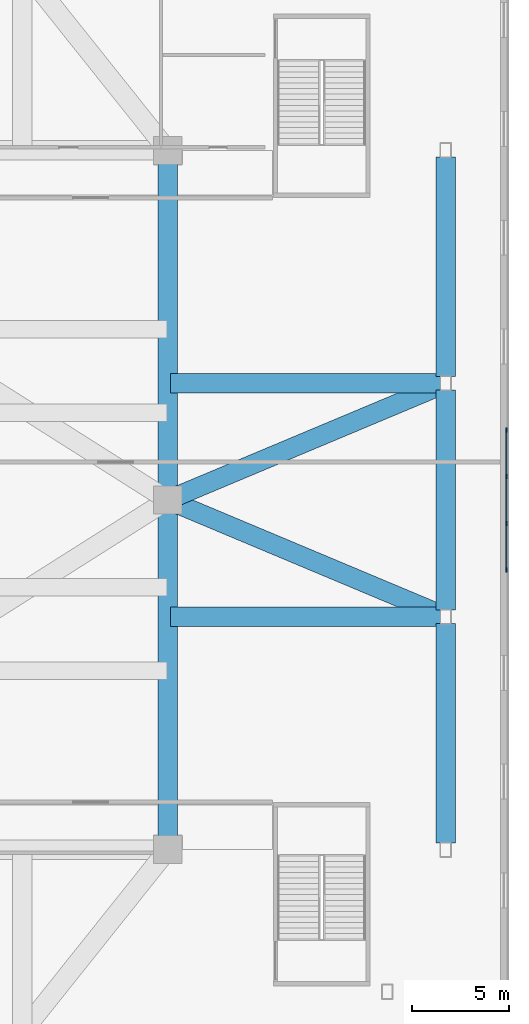
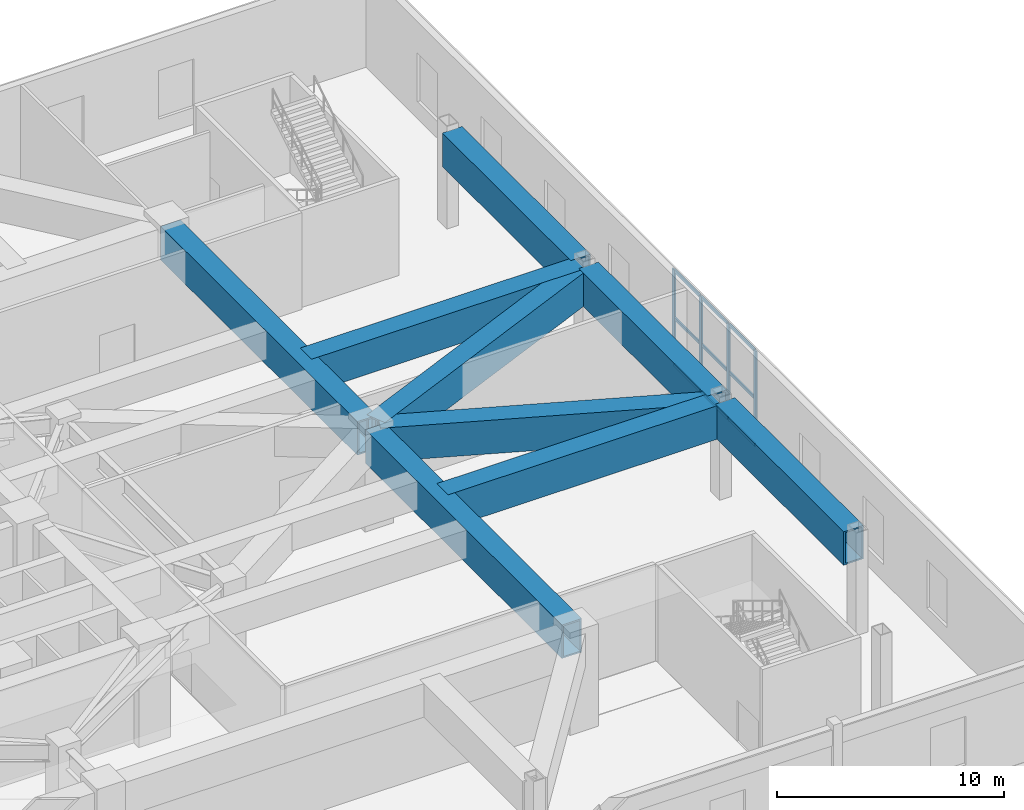
# One storey, part 8 of 23: 13 members, 9 beams, 1 element without a shape of its own.
"""IFC4 building model written with IfcOpenShell, lengths in metres."""

from ifc_helpers import new_model, si_unit, direction, frame, origin, origin_2d, place, context, subcontext, project, spatial, rectangle, hollow_rectangle, extrude, material, layer, layer_set, material_profile, profile_set, type_object, element, aggregate, save


model = new_model("IFC4")

# Units and contexts
model_context = context("Model", 3, precision=1e-05, world=origin(), true_north=direction((0.0, 1.0)))
body_context = subcontext(model_context, "Body", "Model", "MODEL_VIEW")
ifc_project = project(units=[si_unit("LENGTHUNIT", "METRE"), si_unit("AREAUNIT", "SQUARE_METRE"), si_unit("VOLUMEUNIT", "CUBIC_METRE"), si_unit("PLANEANGLEUNIT", "RADIAN"), si_unit("MASSUNIT", "GRAM", prefix="KILO")], contexts=[model_context])

# Site, building, storey
site_placement = place(None, origin())
site = spatial("IfcSite", under=ifc_project, at=site_placement, CompositionType="ELEMENT")
building_placement = place(site_placement, origin())
building = spatial("IfcBuilding", under=site, at=building_placement, Name="Apsidion Concourse Tower", CompositionType="ELEMENT")
storey_placement = place(building_placement, frame((0.0, 0.0, 6.0)))
storey = spatial("IfcBuildingStorey", under=building, at=storey_placement, Name="L01", CompositionType="ELEMENT", Elevation=6.0)

# Beams
ifc_material_1 = material(Name="Structural steel ASTM A572 Grade 50", Category="steel")
ifc_material_profile_1 = material_profile(ifc_material_1, hollow_rectangle(XDim=1.0, YDim=1.800048828125, WallThickness=0.080078125, at=origin_2d()), Name="BOX1800X1000X80")
ifc_profile_set_1 = profile_set([ifc_material_profile_1], Name="Structural steel ASTM A572 Grade 50")
beam_type = type_object("IfcBeamType", Name="BM-TR-1800", PredefinedType="USERDEFINED", material=ifc_profile_set_1)
for number, where, z_axis, x_axis, name in (
    (1, (24.0, -17.64990234375, 4.300048828125), (0.0, 1.0, 0.0), (-1.0, 0.0, 0.0), "L01 Podium Transfer Collector Girder MC2-MC4"),
    (2, (24.0, 0.35009765625, 4.300048828125), (0.0, 1.0, 0.0), (-1.0, 0.0, 0.0), "L01 Podium Transfer Collector Girder MC4-MC6"),
):
    element("IfcBeam", number, at=place(storey_placement, frame(where, z_axis=z_axis, x_axis=x_axis)), inside=storey, type_object=beam_type, Name=name, ObjectType="GIRDER", PredefinedType="USERDEFINED", context=body_context, shape_type="SweptSolid", body=[
        extrude(hollow_rectangle(XDim=1.0, YDim=1.800048828125, WallThickness=0.080078125, at=origin_2d()), origin(), (0.0, 0.0, 1.0), 17.2998046875),
    ])
beam_1_placement = place(storey_placement, frame((38.050048828125, -6.0, 4.300048828125), z_axis=(-1.0, 0.0, 0.0), x_axis=(0.0, -1.0, 0.0)))
element("IfcBeam", 3, at=beam_1_placement, inside=storey, type_object=beam_type, Name="L01 Podium Radial Frame Girder PC06", ObjectType="GIRDER", PredefinedType="USERDEFINED", context=body_context, shape_type="SweptSolid", body=[
    extrude(hollow_rectangle(XDim=1.0, YDim=1.800048828125, WallThickness=0.080078125, at=origin_2d()), origin(), (0.0, 0.0, 1.0), 13.900146484375),
])
beam_2_placement = place(storey_placement, frame((37.977294921875, -5.864501953125, 4.300048828125), z_axis=(-0.92212437548, 0.386893572118, 0.0), x_axis=(-0.386893572118, -0.92212437548, 0.0)))
element("IfcBeam", 4, at=beam_2_placement, inside=storey, type_object=beam_type, Name="L01 Podium Diagonal Frame Tie PC06", ObjectType="GIRDER", PredefinedType="USERDEFINED", context=body_context, shape_type="SweptSolid", body=[
    extrude(hollow_rectangle(XDim=1.0, YDim=1.800048828125, WallThickness=0.080078125, at=origin_2d()), origin(), (0.0, 0.0, 1.0), 14.8076171875),
])
beam_3_placement = place(storey_placement, frame((38.050048828125, 6.0, 4.300048828125), z_axis=(-1.0, 0.0, 0.0), x_axis=(0.0, -1.0, 0.0)))
element("IfcBeam", 5, at=beam_3_placement, inside=storey, type_object=beam_type, Name="L01 Podium Radial Frame Girder PC07", ObjectType="GIRDER", PredefinedType="USERDEFINED", context=body_context, shape_type="SweptSolid", body=[
    extrude(hollow_rectangle(XDim=1.0, YDim=1.800048828125, WallThickness=0.080078125, at=origin_2d()), origin(), (0.0, 0.0, 1.0), 13.900146484375),
])
beam_4_placement = place(storey_placement, frame((37.977294921875, 5.864501953125, 4.300048828125), z_axis=(-0.92212437548, -0.386893572118, 0.0), x_axis=(0.386893572118, -0.92212437548, 0.0)))
element("IfcBeam", 6, at=beam_4_placement, inside=storey, type_object=beam_type, Name="L01 Podium Diagonal Frame Tie PC07", ObjectType="GIRDER", PredefinedType="USERDEFINED", context=body_context, shape_type="SweptSolid", body=[
    extrude(hollow_rectangle(XDim=1.0, YDim=1.800048828125, WallThickness=0.080078125, at=origin_2d()), origin(), (0.0, 0.0, 1.0), 14.8076171875),
])
for number, where, z_axis, x_axis, name in (
    (7, (38.300048828125, -17.64990234375, 4.300048828125), (0.0, 1.0, 0.0), (-1.0, 0.0, 0.0), "L01 Podium Spandrel Girder PC05-PC06"),
    (8, (38.300048828125, -5.64990234375, 4.300048828125), (0.0, 1.0, 0.0), (-1.0, 0.0, 0.0), "L01 Podium Spandrel Girder PC06-PC07"),
    (9, (38.300048828125, 6.35009765625, 4.300048828125), (0.0, 1.0, 0.0), (-1.0, 0.0, 0.0), "L01 Podium Spandrel Girder PC07-PC08"),
):
    element("IfcBeam", number, at=place(storey_placement, frame(where, z_axis=z_axis, x_axis=x_axis)), inside=storey, type_object=beam_type, Name=name, ObjectType="GIRDER", PredefinedType="USERDEFINED", context=body_context, shape_type="SweptSolid", body=[
        extrude(hollow_rectangle(XDim=1.0, YDim=1.800048828125, WallThickness=0.080078125, at=origin_2d()), origin(), (0.0, 0.0, 1.0), 11.2998046875),
    ])

# Curtain wall, members
ifc_material_2 = material(Name="Insulated laminated low-E glass", Category="glass")
ifc_layer = layer(ifc_material_2, 0.18994140625)
ifc_layer_set = layer_set([ifc_layer], Name="Insulated laminated low-E glass")
curtain_wall_type = type_object("IfcCurtainWallType", Name="CW-SYS-01", PredefinedType="NOTDEFINED", material=ifc_layer_set)
curtain_wall_placement = place(storey_placement, origin())
curtain_wall = element("IfcCurtainWall", 10, at=curtain_wall_placement, inside=storey, type_object=curtain_wall_type, Name="L01 Podium Glazed Curtain Wall E", PredefinedType="NOTDEFINED")
ifc_material_3 = material(Name="Anodised aluminium EN AW-6063 T6", Category="aluminium")
ifc_material_profile_2 = material_profile(ifc_material_3, rectangle(XDim=0.074951171875, YDim=0.219970703125, at=origin_2d()), Name="ALU MULLION 75x220")
ifc_profile_set_2 = profile_set([ifc_material_profile_2], Name="Anodised aluminium EN AW-6063 T6")
member_type_1 = type_object("IfcMemberType", Name="CWM-75X220", PredefinedType="MULLION", material=ifc_profile_set_2)
member_1_placement = place(storey_placement, frame((41.43994140625, 3.598388671875, 0.0), z_axis=(0.0, 0.0, 1.0), x_axis=(1.0, 0.0, 0.0)))
member_1 = element("IfcMember", 11, at=member_1_placement, type_object=member_type_1, Name="CW-01 mullion 1", PredefinedType="MULLION", context=body_context, shape_type="SweptSolid", body=[
    extrude(rectangle(XDim=0.074951171875, YDim=0.219970703125, at=origin_2d()), origin(), (0.0, 0.0, 1.0), 5.14990234375),
])
member_2_placement = place(storey_placement, frame((41.43994140625, 1.2119140625, 0.0), z_axis=(0.0, 0.0, 1.0), x_axis=(1.0, 0.0, 0.0)))
member_2 = element("IfcMember", 12, at=member_2_placement, type_object=member_type_1, Name="CW-01 mullion 2", PredefinedType="MULLION", context=body_context, shape_type="SweptSolid", body=[
    extrude(rectangle(XDim=0.074951171875, YDim=0.219970703125, at=origin_2d()), origin(), (0.0, 0.0, 1.0), 5.14990234375),
])
member_3_placement = place(storey_placement, frame((41.43994140625, -1.2119140625, 0.0), z_axis=(0.0, 0.0, 1.0), x_axis=(1.0, 0.0, 0.0)))
member_3 = element("IfcMember", 13, at=member_3_placement, type_object=member_type_1, Name="CW-01 mullion 3", PredefinedType="MULLION", context=body_context, shape_type="SweptSolid", body=[
    extrude(rectangle(XDim=0.074951171875, YDim=0.219970703125, at=origin_2d()), origin(), (0.0, 0.0, 1.0), 5.14990234375),
])
member_4_placement = place(storey_placement, frame((41.43994140625, -3.598388671875, 0.0), z_axis=(0.0, 0.0, 1.0), x_axis=(1.0, 0.0, 0.0)))
member_4 = element("IfcMember", 14, at=member_4_placement, type_object=member_type_1, Name="CW-01 mullion 4", PredefinedType="MULLION", context=body_context, shape_type="SweptSolid", body=[
    extrude(rectangle(XDim=0.074951171875, YDim=0.219970703125, at=origin_2d()), origin(), (0.0, 0.0, 1.0), 5.14990234375),
])
ifc_material_profile_3 = material_profile(ifc_material_3, rectangle(XDim=0.074951171875, YDim=0.159912109375, at=origin_2d()), Name="ALU TRANSOM 75x160")
ifc_profile_set_3 = profile_set([ifc_material_profile_3], Name="Anodised aluminium EN AW-6063 T6")
member_type_2 = type_object("IfcMemberType", Name="CWT-75X160", PredefinedType="USERDEFINED", material=ifc_profile_set_3)
member_5_placement = place(storey_placement, frame((41.43994140625, 3.56103515625, 0.03759765625), z_axis=(0.0, -1.0, 0.0), x_axis=(1.0, 0.0, 0.0)))
member_5 = element("IfcMember", 15, at=member_5_placement, type_object=member_type_2, Name="CW-01 transom 1.1", ObjectType="TRANSOM", PredefinedType="USERDEFINED", context=body_context, shape_type="SweptSolid", body=[
    extrude(rectangle(XDim=0.074951171875, YDim=0.159912109375, at=origin_2d()), origin(), (0.0, 0.0, 1.0), 2.3115234375),
])
member_6_placement = place(storey_placement, frame((41.43994140625, 3.56103515625, 2.574951171875), z_axis=(0.0, -1.0, 0.0), x_axis=(1.0, 0.0, 0.0)))
member_6 = element("IfcMember", 16, at=member_6_placement, type_object=member_type_2, Name="CW-01 transom 1.2", ObjectType="TRANSOM", PredefinedType="USERDEFINED", context=body_context, shape_type="SweptSolid", body=[
    extrude(rectangle(XDim=0.074951171875, YDim=0.159912109375, at=origin_2d()), origin(), (0.0, 0.0, 1.0), 2.3115234375),
])
member_7_placement = place(storey_placement, frame((41.43994140625, 3.56103515625, 5.112548828125), z_axis=(0.0, -1.0, 0.0), x_axis=(1.0, 0.0, 0.0)))
member_7 = element("IfcMember", 17, at=member_7_placement, type_object=member_type_2, Name="CW-01 transom 1.3", ObjectType="TRANSOM", PredefinedType="USERDEFINED", context=body_context, shape_type="SweptSolid", body=[
    extrude(rectangle(XDim=0.074951171875, YDim=0.159912109375, at=origin_2d()), origin(), (0.0, 0.0, 1.0), 2.3115234375),
])
member_8_placement = place(storey_placement, frame((41.43994140625, 1.174560546875, 0.03759765625), z_axis=(0.0, -1.0, 0.0), x_axis=(1.0, 0.0, 0.0)))
member_8 = element("IfcMember", 18, at=member_8_placement, type_object=member_type_2, Name="CW-01 transom 2.1", ObjectType="TRANSOM", PredefinedType="USERDEFINED", context=body_context, shape_type="SweptSolid", body=[
    extrude(rectangle(XDim=0.074951171875, YDim=0.159912109375, at=origin_2d()), origin(), (0.0, 0.0, 1.0), 2.34912109375),
])
member_9_placement = place(storey_placement, frame((41.43994140625, 1.174560546875, 2.574951171875), z_axis=(0.0, -1.0, 0.0), x_axis=(1.0, 0.0, 0.0)))
member_9 = element("IfcMember", 19, at=member_9_placement, type_object=member_type_2, Name="CW-01 transom 2.2", ObjectType="TRANSOM", PredefinedType="USERDEFINED", context=body_context, shape_type="SweptSolid", body=[
    extrude(rectangle(XDim=0.074951171875, YDim=0.159912109375, at=origin_2d()), origin(), (0.0, 0.0, 1.0), 2.34912109375),
])
member_10_placement = place(storey_placement, frame((41.43994140625, 1.174560546875, 5.112548828125), z_axis=(0.0, -1.0, 0.0), x_axis=(1.0, 0.0, 0.0)))
member_10 = element("IfcMember", 20, at=member_10_placement, type_object=member_type_2, Name="CW-01 transom 2.3", ObjectType="TRANSOM", PredefinedType="USERDEFINED", context=body_context, shape_type="SweptSolid", body=[
    extrude(rectangle(XDim=0.074951171875, YDim=0.159912109375, at=origin_2d()), origin(), (0.0, 0.0, 1.0), 2.34912109375),
])
member_11_placement = place(storey_placement, frame((41.43994140625, -1.24951171875, 0.03759765625), z_axis=(0.0, -1.0, 0.0), x_axis=(1.0, 0.0, 0.0)))
member_11 = element("IfcMember", 21, at=member_11_placement, type_object=member_type_2, Name="CW-01 transom 3.1", ObjectType="TRANSOM", PredefinedType="USERDEFINED", context=body_context, shape_type="SweptSolid", body=[
    extrude(rectangle(XDim=0.074951171875, YDim=0.159912109375, at=origin_2d()), origin(), (0.0, 0.0, 1.0), 2.3115234375),
])
member_12_placement = place(storey_placement, frame((41.43994140625, -1.24951171875, 2.574951171875), z_axis=(0.0, -1.0, 0.0), x_axis=(1.0, 0.0, 0.0)))
member_12 = element("IfcMember", 22, at=member_12_placement, type_object=member_type_2, Name="CW-01 transom 3.2", ObjectType="TRANSOM", PredefinedType="USERDEFINED", context=body_context, shape_type="SweptSolid", body=[
    extrude(rectangle(XDim=0.074951171875, YDim=0.159912109375, at=origin_2d()), origin(), (0.0, 0.0, 1.0), 2.3115234375),
])
member_13_placement = place(storey_placement, frame((41.43994140625, -1.24951171875, 5.112548828125), z_axis=(0.0, -1.0, 0.0), x_axis=(1.0, 0.0, 0.0)))
member_13 = element("IfcMember", 23, at=member_13_placement, type_object=member_type_2, Name="CW-01 transom 3.3", ObjectType="TRANSOM", PredefinedType="USERDEFINED", context=body_context, shape_type="SweptSolid", body=[
    extrude(rectangle(XDim=0.074951171875, YDim=0.159912109375, at=origin_2d()), origin(), (0.0, 0.0, 1.0), 2.3115234375),
])
aggregate(curtain_wall, [member_1, member_2, member_3, member_4, member_5, member_6, member_7, member_8, member_9, member_10, member_11, member_12, member_13])

save(model, "model.ifc")
